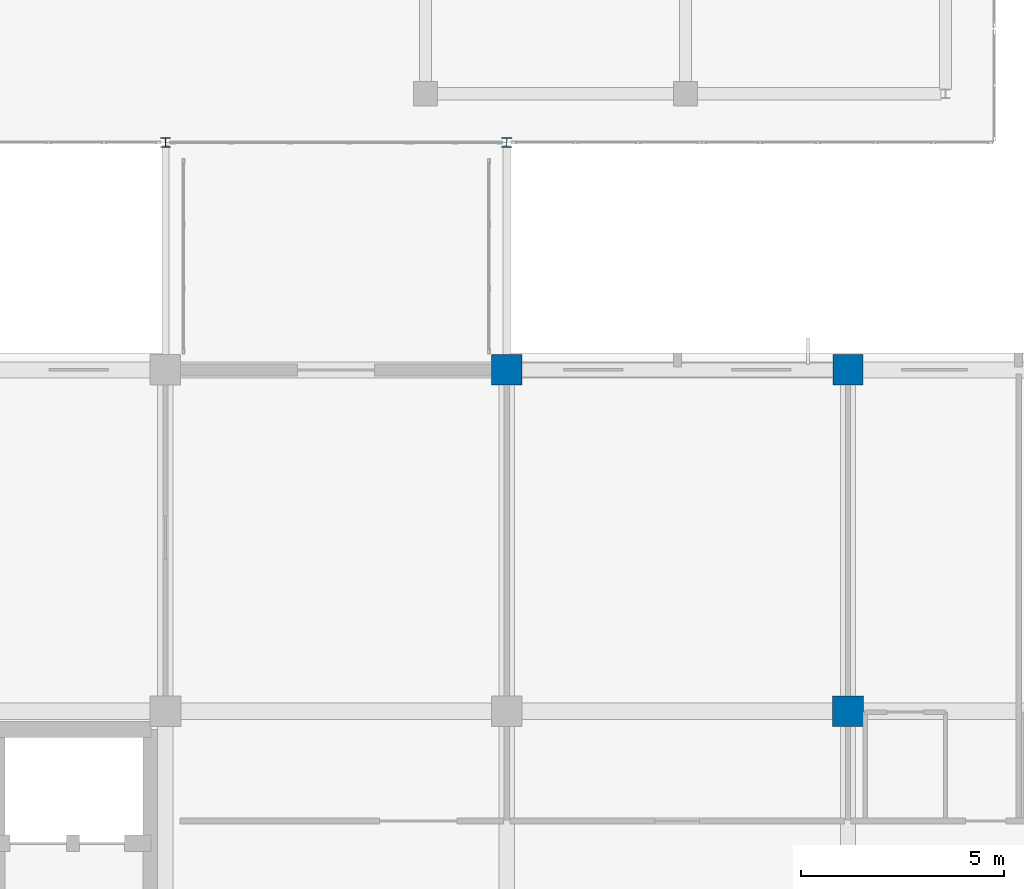
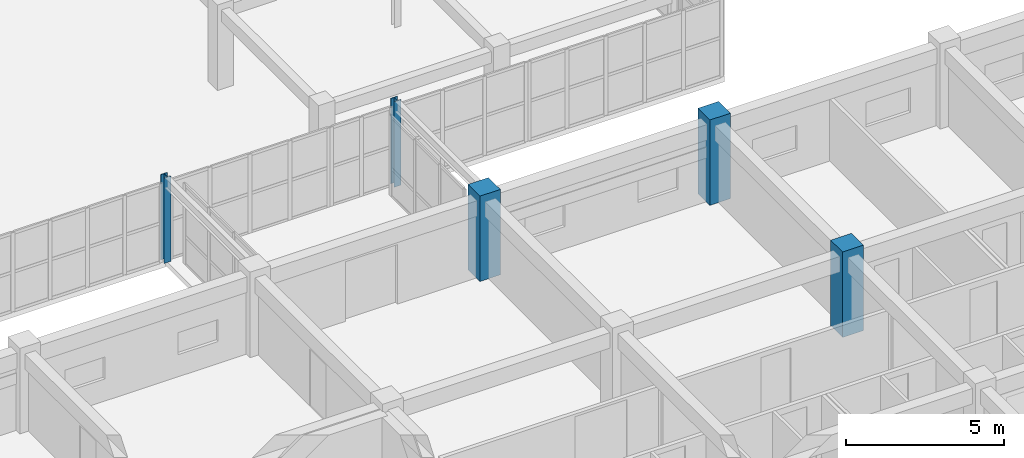
# One storey, part 9 of 200: 5 columns.
"""IFC4 building model written with IfcOpenShell, lengths in metres."""

from ifc_helpers import new_model, si_unit, direction, frame, origin, origin_2d, place, context, subcontext, project, spatial, rectangle, i_section, extrude, material, material_profile, profile_set, type_object, element, save


model = new_model("IFC4")

# Units and contexts
model_context = context("Model", 3, precision=1e-05, world=origin(), true_north=direction((0.0, 1.0)))
body_context = subcontext(model_context, "Body", "Model", "MODEL_VIEW")
ifc_project = project(units=[si_unit("LENGTHUNIT", "METRE"), si_unit("AREAUNIT", "SQUARE_METRE"), si_unit("VOLUMEUNIT", "CUBIC_METRE"), si_unit("PLANEANGLEUNIT", "RADIAN"), si_unit("MASSUNIT", "GRAM", prefix="KILO")], contexts=[model_context])

# Site, building, storey
site_placement = place(None, origin())
site = spatial("IfcSite", under=ifc_project, at=site_placement, CompositionType="ELEMENT")
building_placement = place(site_placement, origin())
building = spatial("IfcBuilding", under=site, at=building_placement, Name="Trelvath General Hospital", CompositionType="ELEMENT")
storey_placement = place(building_placement, frame((0.0, 0.0, 4.800048828125)))
storey = spatial("IfcBuildingStorey", under=building, at=storey_placement, Name="L01", CompositionType="ELEMENT", Elevation=4.800048828125)

# Columns
ifc_material_1 = material(Name="Steel S355", Category="steel")
ifc_material_profile_1 = material_profile(ifc_material_1, i_section(OverallWidth=0.239990234375, OverallDepth=0.22998046875, WebThickness=0.007568359375, FlangeThickness=0.011962890625, at=origin_2d()), Name="HEA240")
ifc_profile_set_1 = profile_set([ifc_material_profile_1], Name="Steel S355")
column_type_1 = type_object("IfcColumnType", Name="BridgeColumn HEA240", PredefinedType="COLUMN", material=ifc_profile_set_1)
for number, where, z_axis, x_axis, name in (
    (1, (100.800048828125, 30.800048828125, 0.0), (0.0, 0.0, 1.0), (1.0, 0.0, 0.0), "Bridge Portal Column BC-03 L01"),
    (2, (109.199951171875, 30.800048828125, 0.0), (0.0, 0.0, 1.0), (1.0, 0.0, 0.0), "Bridge Portal Column BC-04 L01"),
):
    element("IfcColumn", number, at=place(storey_placement, frame(where, z_axis=z_axis, x_axis=x_axis)), inside=storey, type_object=column_type_1, Name=name, PredefinedType="COLUMN", context=body_context, shape_type="SweptSolid", body=[
        extrude(i_section(OverallWidth=0.239990234375, OverallDepth=0.22998046875, WebThickness=0.007568359375, FlangeThickness=0.011962890625, at=origin_2d()), origin(), (0.0, 0.0, 1.0), 3.300048828125),
    ])
ifc_material_2 = material(Name="Concrete C40/50", Category="concrete")
ifc_material_profile_2 = material_profile(ifc_material_2, rectangle(XDim=0.75, YDim=0.75, at=origin_2d()), Name="RC750x750")
ifc_profile_set_2 = profile_set([ifc_material_profile_2], Name="Concrete C40/50")
column_type_2 = type_object("IfcColumnType", Name="Column RC750", PredefinedType="COLUMN", material=ifc_profile_set_2)
for number, where, z_axis, x_axis, name in (
    (3, (109.199951171875, 25.199951171875, 0.0), (0.0, 0.0, 1.0), (1.0, 0.0, 0.0), "Column C-14D L01"),
    (4, (117.60009765625, 25.199951171875, 0.0), (0.0, 0.0, 1.0), (1.0, 0.0, 0.0), "Column C-15D L01"),
):
    element("IfcColumn", number, at=place(storey_placement, frame(where, z_axis=z_axis, x_axis=x_axis)), inside=storey, type_object=column_type_2, Name=name, PredefinedType="COLUMN", context=body_context, shape_type="SweptSolid", body=[
        extrude(rectangle(XDim=0.75, YDim=0.75, at=origin_2d()), origin(), (0.0, 0.0, 1.0), 3.300048828125),
    ])
ifc_material_3 = material(Name="Concrete C40/50", Category="concrete")
ifc_material_profile_3 = material_profile(ifc_material_3, rectangle(XDim=0.760009765625, YDim=0.760009765625, at=origin_2d()), Name="RC760x760")
ifc_profile_set_3 = profile_set([ifc_material_profile_3], Name="Concrete C40/50")
column_type_3 = type_object("IfcColumnType", Name="Column RC760", PredefinedType="COLUMN", material=ifc_profile_set_3)
column_placement = place(storey_placement, frame((117.60009765625, 16.800048828125, 0.0), z_axis=(0.0, 0.0, 1.0), x_axis=(1.0, 0.0, 0.0)))
element("IfcColumn", 5, at=column_placement, inside=storey, type_object=column_type_3, Name="Column C-15C L01", PredefinedType="COLUMN", context=body_context, shape_type="SweptSolid", body=[
    extrude(rectangle(XDim=0.760009765625, YDim=0.760009765625, at=origin_2d()), origin(), (0.0, 0.0, 1.0), 3.300048828125),
])

save(model, "model.ifc")
